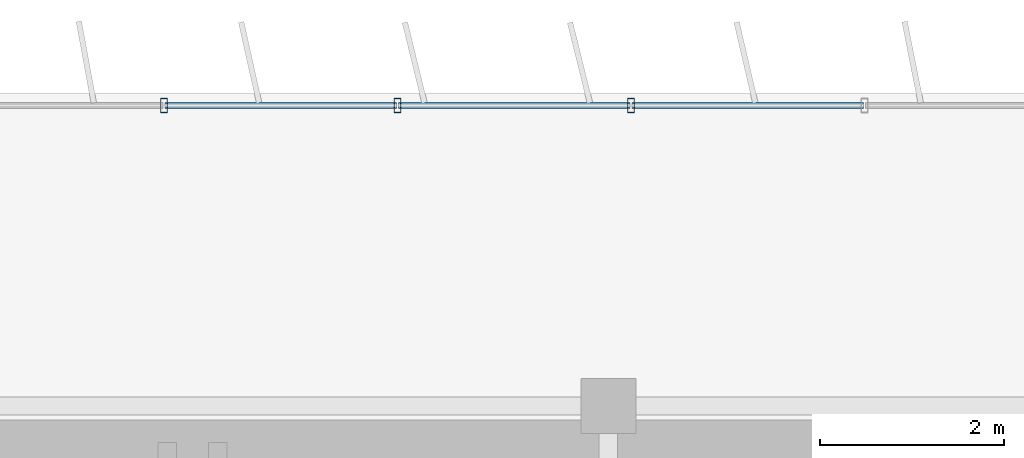
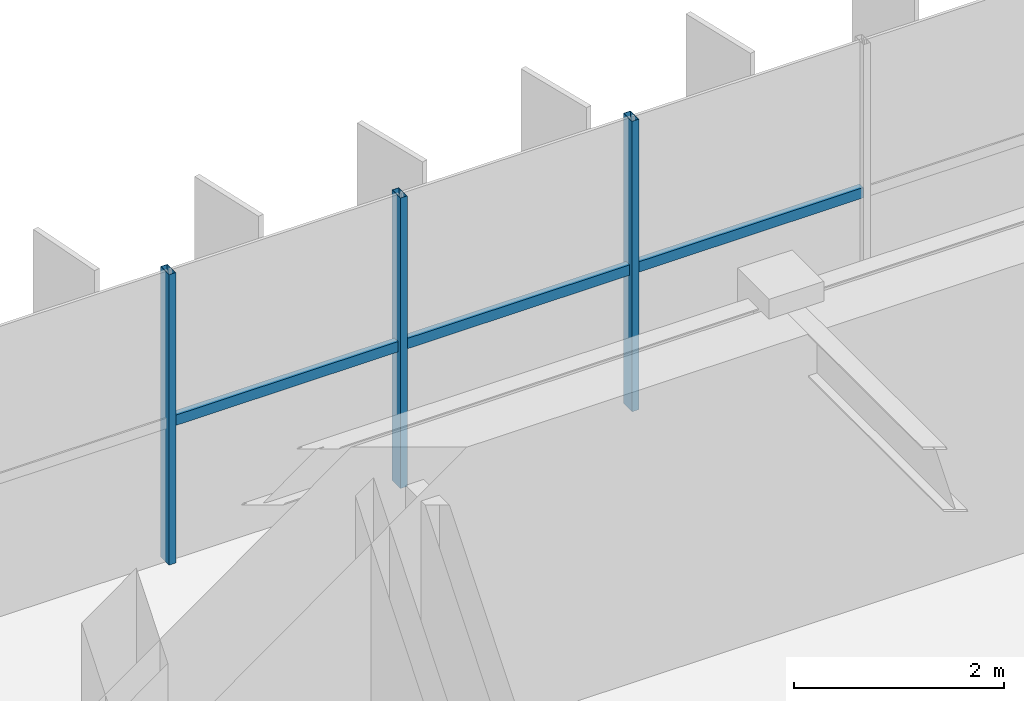
# One storey, part 8 of 22: 6 members, 1 element without a shape of its own.
"""IFC4 building model written with IfcOpenShell, lengths in metres."""

from ifc_helpers import new_model, si_unit, direction, frame, origin, origin_2d, place, context, subcontext, project, spatial, hollow_rectangle, extrude, source, transform, mapped, material, material_profile, profile_set, type_object, element, aggregate, save


model = new_model("IFC4")

# Units and contexts
model_context = context("Model", 3, precision=1e-05, world=origin(), true_north=direction((0.0, 1.0)))
body_context = subcontext(model_context, "Body", "Model", "MODEL_VIEW")
ifc_project = project(units=[si_unit("LENGTHUNIT", "METRE"), si_unit("AREAUNIT", "SQUARE_METRE"), si_unit("VOLUMEUNIT", "CUBIC_METRE"), si_unit("PLANEANGLEUNIT", "RADIAN"), si_unit("MASSUNIT", "GRAM", prefix="KILO")], contexts=[model_context])

# Site, building, storey
site_placement = place(None, origin())
site = spatial("IfcSite", under=ifc_project, at=site_placement, CompositionType="ELEMENT")
building_placement = place(site_placement, origin())
building = spatial("IfcBuilding", under=site, at=building_placement, Name="Trelvane Seafront Commons", CompositionType="ELEMENT")
storey_placement = place(building_placement, frame((0.0, 0.0, 284.699951171875)))
storey = spatial("IfcBuildingStorey", under=building, at=storey_placement, Name="L74", CompositionType="ELEMENT", Elevation=284.699951171875)

# Curtain wall, members
ifc_material = material(Name="Anodised pale-silver aluminium", Category="aluminium")
curtain_wall_type = type_object("IfcCurtainWallType", Name="ARCH-CW5-UPTOWER", PredefinedType="NOTDEFINED", material=ifc_material)
curtain_wall_placement = place(storey_placement, origin())
curtain_wall = element("IfcCurtainWall", 1, at=curtain_wall_placement, inside=storey, type_object=curtain_wall_type, Name="CW-L74-0118", PredefinedType="NOTDEFINED")
ifc_material_profile_1 = material_profile(ifc_material, hollow_rectangle(XDim=0.070068359375, YDim=0.1201171875, WallThickness=0.00390625, at=origin_2d()), Name="TRAN-70x120x4")
ifc_profile_set_1 = profile_set([ifc_material_profile_1], Name="Anodised pale-silver aluminium")
member_type_1 = type_object("IfcMemberType", Name="ARCH-CW-TRAN-120", PredefinedType="USERDEFINED", material=ifc_profile_set_1)
shared_shape_1 = source(origin(), body_context, "Body", "SweptSolid", [
    extrude(hollow_rectangle(XDim=0.070068359375, YDim=0.1201171875, WallThickness=0.00390625, at=origin_2d()), origin(), (0.0, 0.0, 1.0), 2.51708984375),
])
member_1_placement = place(storey_placement, frame((30.859130859375, 48.3701171875, 1.6181640625), z_axis=(1.0, 0.0, 0.0), x_axis=(0.0, 1.0, 0.0)))
member_1 = element("IfcMember", 2, at=member_1_placement, type_object=member_type_1, Name="CW-L74-0118-T06", ObjectType="TRANSOM", PredefinedType="USERDEFINED", context=body_context, shape_type="MappedRepresentation", body=[
    mapped(shared_shape_1, transform((0.0, 0.0, 0.0), x_axis=(1.0, 0.0, 0.0), y_axis=(0.0, 1.0, 0.0), z_axis=(0.0, 0.0, 1.0), scale=1.0)),
])
shared_shape_2 = source(origin(), body_context, "Body", "SweptSolid", [
    extrude(hollow_rectangle(XDim=0.070068359375, YDim=0.1201171875, WallThickness=0.00390625, at=origin_2d()), origin(), (0.0, 0.0, 1.0), 2.517333984375),
])
member_2_placement = place(storey_placement, frame((25.776611328125, 48.3701171875, 1.6181640625), z_axis=(1.0, 0.0, 0.0), x_axis=(0.0, 1.0, 0.0)))
member_2 = element("IfcMember", 3, at=member_2_placement, type_object=member_type_1, Name="CW-L74-0118-T04", ObjectType="TRANSOM", PredefinedType="USERDEFINED", context=body_context, shape_type="MappedRepresentation", body=[
    mapped(shared_shape_2, transform((0.0, 0.0, 0.0), x_axis=(1.0, 0.0, 0.0), y_axis=(0.0, 1.0, 0.0), z_axis=(0.0, 0.0, 1.0), scale=1.0)),
])
member_3_placement = place(storey_placement, frame((28.31787109375, 48.3701171875, 1.6181640625), z_axis=(1.0, 0.0, 0.0), x_axis=(0.0, 1.0, 0.0)))
member_3 = element("IfcMember", 4, at=member_3_placement, type_object=member_type_1, Name="CW-L74-0118-T05", ObjectType="TRANSOM", PredefinedType="USERDEFINED", context=body_context, shape_type="MappedRepresentation", body=[
    mapped(shared_shape_2, transform((0.0, 0.0, 0.0), x_axis=(1.0, 0.0, 0.0), y_axis=(0.0, 1.0, 0.0), z_axis=(0.0, 0.0, 1.0), scale=1.0)),
])
ifc_material_profile_2 = material_profile(ifc_material, hollow_rectangle(XDim=0.074951171875, YDim=0.159912109375, WallThickness=0.00390625, at=origin_2d()), Name="MULL-75x160x4")
ifc_profile_set_2 = profile_set([ifc_material_profile_2], Name="Anodised pale-silver aluminium")
member_type_2 = type_object("IfcMemberType", Name="ARCH-CW-MULL-160", PredefinedType="MULLION", material=ifc_profile_set_2)
shared_shape_3 = source(origin(), body_context, "Body", "SweptSolid", [
    extrude(hollow_rectangle(XDim=0.074951171875, YDim=0.159912109375, WallThickness=0.00390625, at=origin_2d()), origin(), (0.0, 0.0, 1.0), 3.3701171875),
])
member_4_placement = place(storey_placement, frame((25.7646484375, 48.3701171875, 0.0), z_axis=(0.0, 0.0, 1.0), x_axis=(1.0, 0.0, 0.0)))
member_4 = element("IfcMember", 5, at=member_4_placement, type_object=member_type_2, Name="CW-L74-0118-M04", PredefinedType="MULLION", context=body_context, shape_type="MappedRepresentation", body=[
    mapped(shared_shape_3, transform((0.0, 0.0, 0.0), x_axis=(1.0, 0.0, 0.0), y_axis=(0.0, 1.0, 0.0), z_axis=(0.0, 0.0, 1.0), scale=1.0)),
])
member_5_placement = place(storey_placement, frame((28.305908203125, 48.3701171875, 0.0), z_axis=(0.0, 0.0, 1.0), x_axis=(1.0, 0.0, 0.0)))
member_5 = element("IfcMember", 6, at=member_5_placement, type_object=member_type_2, Name="CW-L74-0118-M05", PredefinedType="MULLION", context=body_context, shape_type="MappedRepresentation", body=[
    mapped(shared_shape_3, transform((0.0, 0.0, 0.0), x_axis=(1.0, 0.0, 0.0), y_axis=(0.0, 1.0, 0.0), z_axis=(0.0, 0.0, 1.0), scale=1.0)),
])
member_6_placement = place(storey_placement, frame((30.84716796875, 48.3701171875, 0.0), z_axis=(0.0, 0.0, 1.0), x_axis=(1.0, 0.0, 0.0)))
member_6 = element("IfcMember", 7, at=member_6_placement, type_object=member_type_2, Name="CW-L74-0118-M06", PredefinedType="MULLION", context=body_context, shape_type="MappedRepresentation", body=[
    mapped(shared_shape_3, transform((0.0, 0.0, 0.0), x_axis=(1.0, 0.0, 0.0), y_axis=(0.0, 1.0, 0.0), z_axis=(0.0, 0.0, 1.0), scale=1.0)),
])
aggregate(curtain_wall, [member_4, member_5, member_6, member_2, member_3, member_1])

save(model, "model.ifc")
